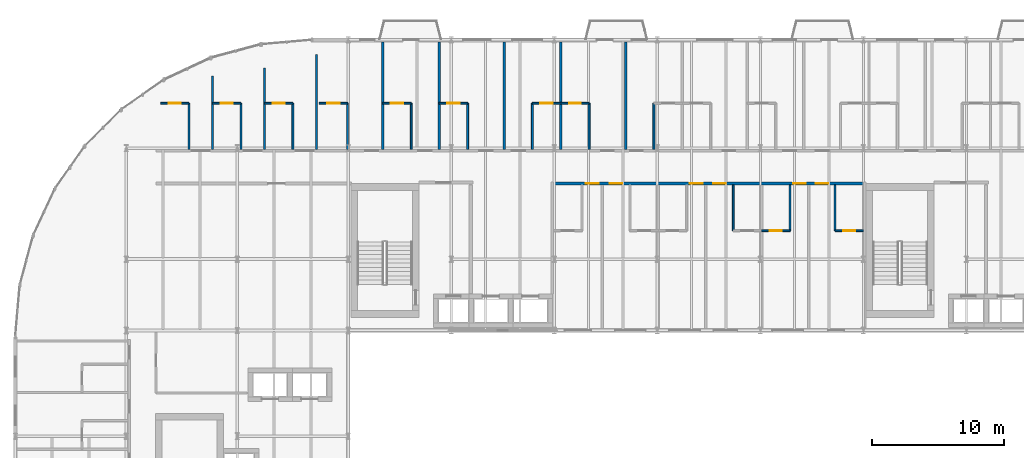
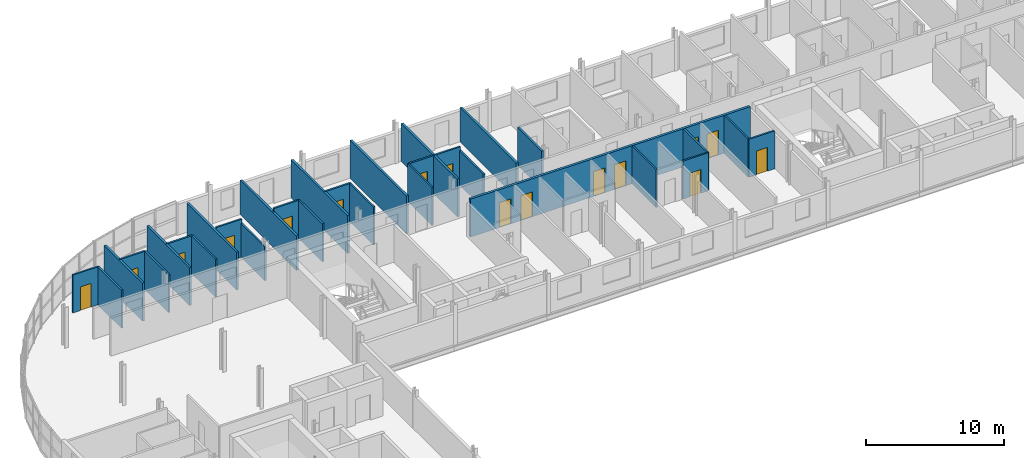
# One storey, part 22 of 34: 31 walls, 16 doors, 16 openings.
"""IFC4 building model written with IfcOpenShell, lengths in metres."""

import ifcopenshell
import ifcopenshell.guid

model = None  # the IFC model being written
_history = None  # IfcOwnerHistory: only IFC2X3 demands one
_inside = {}  # id of a spatial element -> (the spatial element, [elements in it])
_under = {}  # id of a project, library or spatial element -> (it, [spatial elements below it])
_declared = {}  # id of a project -> (the project, [libraries it declares])
_typed = {}  # id of a type object -> (the type object, [elements of that type])
_made_of = {}  # id of a material, layer set ... -> (it, [elements and type objects made of it])


def new_model(schema):
    """Start an empty IFC model of exactly this schema.

    Asked for "IFC4X3", IfcOpenShell would pick the latest addendum, in which some entities
    have other attributes; the version numbers below select the first issue.
    IFC2X3 requires an IfcOwnerHistory on every rooted entity: one is made here for all.
    """
    global model, _history
    if schema == "IFC4X3":
        model = ifcopenshell.file(schema_version=(4, 3, 0, 0))
    else:
        model = ifcopenshell.file(schema=schema)
    _inside.clear()
    _under.clear()
    _declared.clear()
    _typed.clear()
    _made_of.clear()
    _history = None
    if model.schema == "IFC2X3":
        org = make("IfcOrganization", Name="unknown")
        user = make(
            "IfcPersonAndOrganization",
            ThePerson=make("IfcPerson", FamilyName="unknown"),
            TheOrganization=org,
        )
        app = make(
            "IfcApplication",
            ApplicationDeveloper=org,
            Version="unknown",
            ApplicationFullName="unknown",
            ApplicationIdentifier="unknown",
        )
        _history = make(
            "IfcOwnerHistory",
            OwningUser=user,
            OwningApplication=app,
            ChangeAction="ADDED",
            CreationDate=0,
        )
    return model


def make(cls, **values):
    """One entity of the class cls with the attributes given. An attribute that is None is left unset."""
    return model.create_entity(
        cls, **{name: value for name, value in values.items() if value is not None}
    )


def rooted(cls, **values):
    """An entity with a GlobalId (a new one), such as an element, a storey or a relation."""
    return make(cls, GlobalId=ifcopenshell.guid.new(), OwnerHistory=_history, **values)


def si_unit(unit_type, name, prefix=None):
    """IfcSIUnit, for example si_unit("LENGTHUNIT", "METRE", prefix="MILLI")."""
    return make("IfcSIUnit", UnitType=unit_type, Prefix=prefix, Name=name)


def assignment(units):
    """IfcUnitAssignment: the units of a project."""
    return None if units is None else make("IfcUnitAssignment", Units=units)


def point(xyz):
    """IfcCartesianPoint."""
    return None if xyz is None else make("IfcCartesianPoint", Coordinates=xyz)


def direction(xyz):
    """IfcDirection."""
    return None if xyz is None else make("IfcDirection", DirectionRatios=xyz)


def frame(location, z_axis=None, x_axis=None):
    """IfcAxis2Placement3D, a coordinate frame: its origin and axes. An axis left out is left unset."""
    return make(
        "IfcAxis2Placement3D",
        Location=point(location),
        Axis=direction(z_axis),
        RefDirection=direction(x_axis),
    )


def frame_2d(location, x_axis=None):
    """IfcAxis2Placement2D, a coordinate frame in the plane: its origin and x axis."""
    return make(
        "IfcAxis2Placement2D", Location=point(location), RefDirection=direction(x_axis)
    )


def origin():
    """The frame at (0, 0, 0) with its axes left unset."""
    return frame((0.0, 0.0, 0.0))


def place(relative_to, where):
    """IfcLocalPlacement: puts the frame where relative to a parent placement (None: the world)."""
    return make(
        "IfcLocalPlacement", PlacementRelTo=relative_to, RelativePlacement=where
    )


def context(
    kind, dimensions, precision=None, world=None, true_north=None, identifier=None
):
    """IfcGeometricRepresentationContext, for example the 3D "Model" context."""
    return make(
        "IfcGeometricRepresentationContext",
        ContextIdentifier=identifier,
        ContextType=kind,
        CoordinateSpaceDimension=dimensions,
        Precision=precision,
        WorldCoordinateSystem=world,
        TrueNorth=true_north,
    )


def subcontext(parent, identifier, kind, view, scale=None):
    """IfcGeometricRepresentationSubContext, for example "Body" below "Model"."""
    return make(
        "IfcGeometricRepresentationSubContext",
        ContextIdentifier=identifier,
        ContextType=kind,
        ParentContext=parent,
        TargetScale=scale,
        TargetView=view,
    )


def project(units=None, contexts=None):
    """IfcProject with its units and contexts."""
    return rooted(
        "IfcProject",
        Name="project",
        RepresentationContexts=contexts,
        UnitsInContext=assignment(units),
    )


def spatial(cls, under=None, at=None, **own):
    """A site, building, storey or space (cls), placed at a placement, below another one or the project."""
    s = rooted(cls, ObjectPlacement=at, **own)
    if under is not None:
        _under.setdefault(under.id(), (under, []))[1].append(s)
    return s


def profile(cls, at=None, kind="AREA", **sizes):
    """A parametric profile (cls). Its sizes go by their IFC names, for example OverallWidth=200.0."""
    return make(cls, ProfileType=kind, Position=at, **sizes)


def rectangle(**sizes):
    """IfcRectangleProfileDef."""
    return profile("IfcRectangleProfileDef", **sizes)


def extrude(swept, where, along, depth):
    """IfcExtrudedAreaSolid: the profile swept, set in the frame where, extruded along a direction by depth."""
    return make(
        "IfcExtrudedAreaSolid",
        SweptArea=swept,
        Position=where,
        ExtrudedDirection=direction(along),
        Depth=depth,
    )


def shape(context_of_items, identifier, shape_type, items):
    """IfcShapeRepresentation: the items that make up one representation, for example the "Body"."""
    return make(
        "IfcShapeRepresentation",
        ContextOfItems=context_of_items,
        RepresentationIdentifier=identifier,
        RepresentationType=shape_type,
        Items=items,
    )


def material(Name=None, Category=None):
    """IfcMaterial."""
    return make("IfcMaterial", Name=Name, Category=Category)


def layer(
    of_material, thickness, ventilated=None, Name=None, Category=None, Priority=None
):
    """IfcMaterialLayer: one layer of a wall or slab, of a material (None: an air gap)."""
    return make(
        "IfcMaterialLayer",
        Material=of_material,
        LayerThickness=thickness,
        IsVentilated=ventilated,
        Name=Name,
        Category=Category,
        Priority=Priority,
    )


def layer_set(layers, Name=None):
    """IfcMaterialLayerSet."""
    return make("IfcMaterialLayerSet", MaterialLayers=layers, LayerSetName=Name)


def made_of(thing, what):
    """Note that an element or type object is made of a material, layer set ...; save() writes the relation."""
    if what is not None:
        _made_of.setdefault(what.id(), (what, []))[1].append(thing)
    return thing


def type_object(cls, material=None, **own):
    """A type object (cls), such as IfcWallType, which elements share."""
    return made_of(rooted(cls, **own), material)


def element(
    cls,
    number,
    at=None,
    inside=None,
    cuts=None,
    type_object=None,
    material=None,
    context=None,
    identifier="Body",
    shape_type=None,
    held_by="IfcProductDefinitionShape",
    body=None,
    shapes=None,
    **own,
):
    """One element of the class cls, such as IfcWall. Its Tag is "e" and its number.

    at: its placement. inside: the storey or other place that contains it. cuts: it is an
    opening in that element (IfcRelVoidsElement). A single representation is given by context,
    identifier, shape_type and body (its items); several are given by shapes. held_by: the class
    of the entity that holds the representations. save() writes the other relations.
    """
    e = rooted(cls, Tag="e%d" % number, ObjectPlacement=at, **own)
    if body is not None:
        shapes = [shape(context, identifier, shape_type, body)]
    if shapes is not None:
        e.Representation = make(held_by, Representations=shapes)
    if inside is not None:
        _inside.setdefault(inside.id(), (inside, []))[1].append(e)
    if cuts is not None:
        rooted(
            "IfcRelVoidsElement", RelatingBuildingElement=cuts, RelatedOpeningElement=e
        )
    if type_object is not None:
        _typed.setdefault(type_object.id(), (type_object, []))[1].append(e)
    return made_of(e, material)


def fill(opening, filler):
    """IfcRelFillsElement: the door or window that sits in an opening."""
    return rooted(
        "IfcRelFillsElement",
        RelatingOpeningElement=opening,
        RelatedBuildingElement=filler,
    )


def aggregate(whole, parts):
    """IfcRelAggregates: a whole, such as a stair, and the parts it consists of."""
    return rooted("IfcRelAggregates", RelatingObject=whole, RelatedObjects=parts)


def save(model, path):
    """Write the relations noted so far, then the file.

    IfcRelAggregates (storeys below a building ...), IfcRelContainedInSpatialStructure (elements
    in a storey), IfcRelDefinesByType, IfcRelAssociatesMaterial and IfcRelDeclares: one each for
    every whole, place, type object, material and project.
    """
    for whole, parts in _under.values():
        aggregate(whole, parts)
    for where, things in _inside.values():
        rooted(
            "IfcRelContainedInSpatialStructure",
            RelatedElements=things,
            RelatingStructure=where,
        )
    for kind, things in _typed.values():
        rooted("IfcRelDefinesByType", RelatedObjects=things, RelatingType=kind)
    for what, things in _made_of.values():
        rooted("IfcRelAssociatesMaterial", RelatedObjects=things, RelatingMaterial=what)
    for by, libraries in _declared.values():
        rooted("IfcRelDeclares", RelatingContext=by, RelatedDefinitions=libraries)
    model.write(path)


model = new_model("IFC4")

# Units and contexts
model_context = context("Model", 3, precision=1e-05, world=origin(), true_north=direction((0.0, 1.0)))
body_context = subcontext(model_context, "Body", "Model", "MODEL_VIEW")
ifc_project = project(units=[si_unit("LENGTHUNIT", "METRE"), si_unit("AREAUNIT", "SQUARE_METRE"), si_unit("VOLUMEUNIT", "CUBIC_METRE"), si_unit("PLANEANGLEUNIT", "RADIAN"), si_unit("MASSUNIT", "GRAM", prefix="KILO")], contexts=[model_context])

# Site, building, storey
site_placement = place(None, origin())
site = spatial("IfcSite", under=ifc_project, at=site_placement, CompositionType="ELEMENT")
building_placement = place(site_placement, origin())
building = spatial("IfcBuilding", under=site, at=building_placement, Name="Sefraquen Railside Congress Hotel", CompositionType="ELEMENT")
storey_placement = place(building_placement, frame((0.0, 0.0, 31.800048828125)))
storey = spatial("IfcBuildingStorey", under=building, at=storey_placement, Name="L07", CompositionType="ELEMENT", Elevation=31.800048828125)

# Wall
ifc_material_1 = material(Name="Moisture-resistant gypsum board", Category="gypsum")
ifc_layer_1 = layer(ifc_material_1, 0.139892578125)
ifc_layer_set_1 = layer_set([ifc_layer_1], Name="Moisture-resistant gypsum board")
wall_type_1 = type_object("IfcWallType", Name="TW-PW-140", PredefinedType="PARTITIONING", material=ifc_layer_set_1)
wall_1_placement = place(storey_placement, frame((25.14990234375, 109.699951171875, 0.0), z_axis=(0.0, 0.0, 1.0), x_axis=(0.0, 1.0, 0.0)))
element("IfcWall", 1, at=wall_1_placement, inside=storey, type_object=wall_type_1, Name="En-suite bathroom east wall RM-001", PredefinedType="PARTITIONING", context=body_context, shape_type="SweptSolid", body=[
    extrude(rectangle(XDim=3.5, YDim=0.139892578125, at=frame_2d((1.75, 0.0))), origin(), (0.0, 0.0, 1.0), 2.989990234375),
])

# Wall, opening, door
wall_2_placement = place(storey_placement, frame((23.0, 113.199951171875, 0.0), z_axis=(0.0, 0.0, 1.0), x_axis=(1.0, 0.0, 0.0)))
wall_2 = element("IfcWall", 2, at=wall_2_placement, inside=storey, type_object=wall_type_1, Name="En-suite bathroom north wall RM-001", PredefinedType="PARTITIONING", context=body_context, shape_type="SweptSolid", body=[
    extrude(rectangle(XDim=2.14990234375, YDim=0.139892578125, at=frame_2d((1.074951171875, 0.0))), origin(), (0.0, 0.0, 1.0), 3.35986328125),
])
opening_1_placement = place(wall_2_placement, frame((0.60498046875, 0.0, 0.0)))
opening_1 = element("IfcOpeningElement", 3, at=opening_1_placement, cuts=wall_2, Name="Opening ID-01", PredefinedType="OPENING", context=body_context, shape_type="SweptSolid", body=[
    extrude(rectangle(XDim=0.93994140625, YDim=2.14990234375, at=frame_2d((0.469970703125, 1.074951171875))), frame((0.0, 0.079833984375, 0.0), z_axis=(0.0, -1.0, 0.0), x_axis=(1.0, 0.0, 0.0)), (0.0, 0.0, 1.0), 0.159912109375),
])
ifc_material_2 = material(Name="Lacquered cedar joinery", Category="wood")
door_type_1 = type_object("IfcDoorType", Name="TD-ID-01", OperationType="NOTDEFINED", PredefinedType="DOOR", material=ifc_material_2)
door_1_placement = place(opening_1_placement, origin())
door_1 = element("IfcDoor", 4, at=door_1_placement, inside=storey, type_object=door_type_1, Name="En-suite bathroom door RM-001", OperationType="SINGLE_SWING_LEFT", OverallHeight=2.14990234375, OverallWidth=0.93994140625, PredefinedType="DOOR", context=body_context, shape_type="SweptSolid", body=[
    extrude(rectangle(XDim=0.93994140625, YDim=2.14990234375, at=frame_2d((0.469970703125, 1.074951171875))), frame((0.0, 0.02490234375, 0.0), z_axis=(0.0, -1.0, 0.0), x_axis=(1.0, 0.0, 0.0)), (0.0, 0.0, 1.0), 0.050048828125),
])
fill(opening_1, door_1)

# Wall
wall_3_placement = place(storey_placement, frame((29.969970703125, 109.699951171875, 0.0), z_axis=(0.0, 0.0, 1.0), x_axis=(0.0, 1.0, 0.0)))
element("IfcWall", 5, at=wall_3_placement, inside=storey, type_object=wall_type_1, Name="En-suite bathroom east wall RM-002", PredefinedType="PARTITIONING", context=body_context, shape_type="SweptSolid", body=[
    extrude(rectangle(XDim=3.5, YDim=0.139892578125, at=frame_2d((1.75, 0.0))), origin(), (0.0, 0.0, 1.0), 3.35986328125),
])

# Wall, opening, door
wall_4_placement = place(storey_placement, frame((27.820068359375, 113.199951171875, 0.0), z_axis=(0.0, 0.0, 1.0), x_axis=(1.0, 0.0, 0.0)))
wall_4 = element("IfcWall", 6, at=wall_4_placement, inside=storey, type_object=wall_type_1, Name="En-suite bathroom north wall RM-002", PredefinedType="PARTITIONING", context=body_context, shape_type="SweptSolid", body=[
    extrude(rectangle(XDim=2.14990234375, YDim=0.139892578125, at=frame_2d((1.074951171875, 0.0))), origin(), (0.0, 0.0, 1.0), 3.35986328125),
])
opening_2_placement = place(wall_4_placement, frame((0.60498046875, 0.0, 0.0)))
opening_2 = element("IfcOpeningElement", 7, at=opening_2_placement, cuts=wall_4, Name="Opening ID-01", PredefinedType="OPENING", context=body_context, shape_type="SweptSolid", body=[
    extrude(rectangle(XDim=0.93994140625, YDim=2.14990234375, at=frame_2d((0.469970703125, 1.074951171875))), frame((0.0, 0.079833984375, 0.0), z_axis=(0.0, -1.0, 0.0), x_axis=(1.0, 0.0, 0.0)), (0.0, 0.0, 1.0), 0.159912109375),
])
door_2_placement = place(opening_2_placement, origin())
door_2 = element("IfcDoor", 8, at=door_2_placement, inside=storey, type_object=door_type_1, Name="En-suite bathroom door RM-002", OperationType="SINGLE_SWING_LEFT", OverallHeight=2.14990234375, OverallWidth=0.93994140625, PredefinedType="DOOR", context=body_context, shape_type="SweptSolid", body=[
    extrude(rectangle(XDim=0.93994140625, YDim=2.14990234375, at=frame_2d((0.469970703125, 1.074951171875))), frame((0.0, 0.02490234375, 0.0), z_axis=(0.0, -1.0, 0.0), x_axis=(1.0, 0.0, 0.0)), (0.0, 0.0, 1.0), 0.050048828125),
])
fill(opening_2, door_2)

# Wall
wall_5_placement = place(storey_placement, frame((34.239990234375, 109.699951171875, 0.0), z_axis=(0.0, 0.0, 1.0), x_axis=(0.0, 1.0, 0.0)))
element("IfcWall", 9, at=wall_5_placement, inside=storey, type_object=wall_type_1, Name="En-suite bathroom east wall RM-003", PredefinedType="PARTITIONING", context=body_context, shape_type="SweptSolid", body=[
    extrude(rectangle(XDim=3.5, YDim=0.139892578125, at=frame_2d((1.75, 0.0))), origin(), (0.0, 0.0, 1.0), 3.35986328125),
])

# Wall, opening, door
wall_6_placement = place(storey_placement, frame((32.090087890625, 113.199951171875, 0.0), z_axis=(0.0, 0.0, 1.0), x_axis=(1.0, 0.0, 0.0)))
wall_6 = element("IfcWall", 10, at=wall_6_placement, inside=storey, type_object=wall_type_1, Name="En-suite bathroom north wall RM-003", PredefinedType="PARTITIONING", context=body_context, shape_type="SweptSolid", body=[
    extrude(rectangle(XDim=2.14990234375, YDim=0.139892578125, at=frame_2d((1.074951171875, 0.0))), origin(), (0.0, 0.0, 1.0), 3.35986328125),
])
opening_3_placement = place(wall_6_placement, frame((0.60498046875, 0.0, 0.0)))
opening_3 = element("IfcOpeningElement", 11, at=opening_3_placement, cuts=wall_6, Name="Opening ID-01", PredefinedType="OPENING", context=body_context, shape_type="SweptSolid", body=[
    extrude(rectangle(XDim=0.93994140625, YDim=2.14990234375, at=frame_2d((0.469970703125, 1.074951171875))), frame((0.0, 0.079833984375, 0.0), z_axis=(0.0, -1.0, 0.0), x_axis=(1.0, 0.0, 0.0)), (0.0, 0.0, 1.0), 0.159912109375),
])
door_3_placement = place(opening_3_placement, origin())
door_3 = element("IfcDoor", 12, at=door_3_placement, inside=storey, type_object=door_type_1, Name="En-suite bathroom door RM-003", OperationType="SINGLE_SWING_LEFT", OverallHeight=2.14990234375, OverallWidth=0.93994140625, PredefinedType="DOOR", context=body_context, shape_type="SweptSolid", body=[
    extrude(rectangle(XDim=0.93994140625, YDim=2.14990234375, at=frame_2d((0.469970703125, 1.074951171875))), frame((0.0, 0.02490234375, 0.0), z_axis=(0.0, -1.0, 0.0), x_axis=(1.0, 0.0, 0.0)), (0.0, 0.0, 1.0), 0.050048828125),
])
fill(opening_3, door_3)

# Wall
wall_7_placement = place(storey_placement, frame((39.139892578125, 109.699951171875, 0.0), z_axis=(0.0, 0.0, 1.0), x_axis=(0.0, 1.0, 0.0)))
element("IfcWall", 13, at=wall_7_placement, inside=storey, type_object=wall_type_1, Name="En-suite bathroom west wall RM-004", PredefinedType="PARTITIONING", context=body_context, shape_type="SweptSolid", body=[
    extrude(rectangle(XDim=3.5, YDim=0.139892578125, at=frame_2d((1.75, 0.0))), origin(), (0.0, 0.0, 1.0), 3.35986328125),
])

# Wall, opening, door
wall_8_placement = place(storey_placement, frame((39.139892578125, 113.199951171875, 0.0), z_axis=(0.0, 0.0, 1.0), x_axis=(1.0, 0.0, 0.0)))
wall_8 = element("IfcWall", 14, at=wall_8_placement, inside=storey, type_object=wall_type_1, Name="En-suite bathroom north wall RM-004", PredefinedType="PARTITIONING", context=body_context, shape_type="SweptSolid", body=[
    extrude(rectangle(XDim=2.150146484375, YDim=0.139892578125, at=frame_2d((1.0751953125, 0.0))), origin(), (0.0, 0.0, 1.0), 3.35986328125),
])
opening_4_placement = place(wall_8_placement, frame((0.60498046875, 0.0, 0.0)))
opening_4 = element("IfcOpeningElement", 15, at=opening_4_placement, cuts=wall_8, Name="Opening ID-01", PredefinedType="OPENING", context=body_context, shape_type="SweptSolid", body=[
    extrude(rectangle(XDim=0.93994140625, YDim=2.14990234375, at=frame_2d((0.469970703125, 1.074951171875))), frame((0.0, 0.079833984375, 0.0), z_axis=(0.0, -1.0, 0.0), x_axis=(1.0, 0.0, 0.0)), (0.0, 0.0, 1.0), 0.159912109375),
])
door_4_placement = place(opening_4_placement, origin())
door_4 = element("IfcDoor", 16, at=door_4_placement, inside=storey, type_object=door_type_1, Name="En-suite bathroom door RM-004", OperationType="SINGLE_SWING_LEFT", OverallHeight=2.14990234375, OverallWidth=0.93994140625, PredefinedType="DOOR", context=body_context, shape_type="SweptSolid", body=[
    extrude(rectangle(XDim=0.93994140625, YDim=2.14990234375, at=frame_2d((0.469970703125, 1.074951171875))), frame((0.0, 0.02490234375, 0.0), z_axis=(0.0, -1.0, 0.0), x_axis=(1.0, 0.0, 0.0)), (0.0, 0.0, 1.0), 0.050048828125),
])
fill(opening_4, door_4)

# Wall
wall_9_placement = place(storey_placement, frame((43.43994140625, 109.699951171875, 0.0), z_axis=(0.0, 0.0, 1.0), x_axis=(0.0, 1.0, 0.0)))
element("IfcWall", 17, at=wall_9_placement, inside=storey, type_object=wall_type_1, Name="En-suite bathroom east wall RM-005", PredefinedType="PARTITIONING", context=body_context, shape_type="SweptSolid", body=[
    extrude(rectangle(XDim=3.5, YDim=0.139892578125, at=frame_2d((1.75, 0.0))), origin(), (0.0, 0.0, 1.0), 3.050048828125),
])

# Wall, opening, door
wall_10_placement = place(storey_placement, frame((41.2900390625, 113.199951171875, 0.0), z_axis=(0.0, 0.0, 1.0), x_axis=(1.0, 0.0, 0.0)))
wall_10 = element("IfcWall", 18, at=wall_10_placement, inside=storey, type_object=wall_type_1, Name="En-suite bathroom north wall RM-005", PredefinedType="PARTITIONING", context=body_context, shape_type="SweptSolid", body=[
    extrude(rectangle(XDim=2.14990234375, YDim=0.139892578125, at=frame_2d((1.074951171875, 0.0))), origin(), (0.0, 0.0, 1.0), 3.35986328125),
])
opening_5_placement = place(wall_10_placement, frame((0.625, 0.0, 0.0)))
opening_5 = element("IfcOpeningElement", 19, at=opening_5_placement, cuts=wall_10, Name="Opening ID-02", PredefinedType="OPENING", context=body_context, shape_type="SweptSolid", body=[
    extrude(rectangle(XDim=0.89990234375, YDim=2.10009765625, at=frame_2d((0.449951171875, 1.050048828125))), frame((0.0, 0.079833984375, 0.0), z_axis=(0.0, -1.0, 0.0), x_axis=(1.0, 0.0, 0.0)), (0.0, 0.0, 1.0), 0.159912109375),
])
door_type_2 = type_object("IfcDoorType", Name="TD-ID-02", OperationType="NOTDEFINED", PredefinedType="DOOR", material=ifc_material_2)
door_5_placement = place(opening_5_placement, origin())
door_5 = element("IfcDoor", 20, at=door_5_placement, inside=storey, type_object=door_type_2, Name="En-suite bathroom door RM-005", OperationType="SINGLE_SWING_LEFT", OverallHeight=2.10009765625, OverallWidth=0.89990234375, PredefinedType="DOOR", context=body_context, shape_type="SweptSolid", body=[
    extrude(rectangle(XDim=0.89990234375, YDim=2.10009765625, at=frame_2d((0.449951171875, 1.050048828125))), frame((0.0, 0.02490234375, 0.0), z_axis=(0.0, -1.0, 0.0), x_axis=(1.0, 0.0, 0.0)), (0.0, 0.0, 1.0), 0.050048828125),
])
fill(opening_5, door_5)

# Walls
wall_11_placement = place(storey_placement, frame((48.340087890625, 109.699951171875, 0.0), z_axis=(0.0, 0.0, 1.0), x_axis=(0.0, 1.0, 0.0)))
element("IfcWall", 21, at=wall_11_placement, inside=storey, type_object=wall_type_1, Name="En-suite bathroom west wall RM-006", PredefinedType="PARTITIONING", context=body_context, shape_type="SweptSolid", body=[
    extrude(rectangle(XDim=3.5, YDim=0.139892578125, at=frame_2d((1.75, 0.0))), origin(), (0.0, 0.0, 1.0), 3.35986328125),
])
for number, where, z_axis, x_axis, name in (
    (22, (54.343017578125, 103.550048828125, 0.0), (0.0, 0.0, 1.0), (0.0, 1.0, 0.0), "En-suite bathroom west wall RM-025"),
    (23, (58.64306640625, 103.550048828125, 0.0), (0.0, 0.0, 1.0), (0.0, 1.0, 0.0), "En-suite bathroom east wall RM-026"),
):
    element("IfcWall", number, at=place(storey_placement, frame(where, z_axis=z_axis, x_axis=x_axis)), inside=storey, type_object=wall_type_1, Name=name, PredefinedType="PARTITIONING", context=body_context, shape_type="SweptSolid", body=[
        extrude(rectangle(XDim=3.469970703125, YDim=0.139892578125, at=frame_2d((1.73486328125, 0.0))), origin(), (0.0, 0.0, 1.0), 3.35986328125),
    ])

# Wall, opening, door
wall_12_placement = place(storey_placement, frame((56.492919921875, 103.550048828125, 0.0), z_axis=(0.0, 0.0, 1.0), x_axis=(1.0, 0.0, 0.0)))
wall_12 = element("IfcWall", 24, at=wall_12_placement, inside=storey, type_object=wall_type_1, Name="En-suite bathroom south wall RM-026", PredefinedType="PARTITIONING", context=body_context, shape_type="SweptSolid", body=[
    extrude(rectangle(XDim=2.150146484375, YDim=0.139892578125, at=frame_2d((1.0751953125, 0.0))), origin(), (0.0, 0.0, 1.0), 3.35986328125),
])
opening_6_placement = place(wall_12_placement, frame((0.625, 0.0, 0.0)))
opening_6 = element("IfcOpeningElement", 25, at=opening_6_placement, cuts=wall_12, Name="Opening ID-02", PredefinedType="OPENING", context=body_context, shape_type="SweptSolid", body=[
    extrude(rectangle(XDim=0.89990234375, YDim=2.10009765625, at=frame_2d((0.449951171875, 1.050048828125))), frame((0.0, 0.079833984375, 0.0), z_axis=(0.0, -1.0, 0.0), x_axis=(1.0, 0.0, 0.0)), (0.0, 0.0, 1.0), 0.159912109375),
])
door_6_placement = place(opening_6_placement, frame((0.89990234375, 0.0, 0.0), z_axis=(0.0, 0.0, 1.0), x_axis=(-1.0, 0.0, 0.0)))
door_6 = element("IfcDoor", 26, at=door_6_placement, inside=storey, type_object=door_type_2, Name="En-suite bathroom door RM-026", OperationType="SINGLE_SWING_LEFT", OverallHeight=2.10009765625, OverallWidth=0.89990234375, PredefinedType="DOOR", context=body_context, shape_type="SweptSolid", body=[
    extrude(rectangle(XDim=0.89990234375, YDim=2.10009765625, at=frame_2d((0.449951171875, 1.050048828125))), frame((0.0, 0.02490234375, 0.0), z_axis=(0.0, -1.0, 0.0), x_axis=(1.0, 0.0, 0.0)), (0.0, 0.0, 1.0), 0.050048828125),
])
fill(opening_6, door_6)

# Wall
wall_13_placement = place(storey_placement, frame((62.050048828125, 103.550048828125, 0.0), z_axis=(0.0, 0.0, 1.0), x_axis=(0.0, 1.0, 0.0)))
element("IfcWall", 27, at=wall_13_placement, inside=storey, type_object=wall_type_1, Name="En-suite bathroom west wall RM-027", PredefinedType="PARTITIONING", context=body_context, shape_type="SweptSolid", body=[
    extrude(rectangle(XDim=3.469970703125, YDim=0.139892578125, at=frame_2d((1.73486328125, 0.0))), origin(), (0.0, 0.0, 1.0), 3.35986328125),
])

# Wall, opening, door
wall_14_placement = place(storey_placement, frame((62.050048828125, 103.550048828125, 0.0), z_axis=(0.0, 0.0, 1.0), x_axis=(1.0, 0.0, 0.0)))
wall_14 = element("IfcWall", 28, at=wall_14_placement, inside=storey, type_object=wall_type_1, Name="En-suite bathroom south wall RM-027", PredefinedType="PARTITIONING", context=body_context, shape_type="SweptSolid", body=[
    extrude(rectangle(XDim=2.14990234375, YDim=0.139892578125, at=frame_2d((1.074951171875, 0.0))), origin(), (0.0, 0.0, 1.0), 3.35986328125),
])
opening_7_placement = place(wall_14_placement, frame((0.625, 0.0, 0.0)))
opening_7 = element("IfcOpeningElement", 29, at=opening_7_placement, cuts=wall_14, Name="Opening ID-02", PredefinedType="OPENING", context=body_context, shape_type="SweptSolid", body=[
    extrude(rectangle(XDim=0.89990234375, YDim=2.10009765625, at=frame_2d((0.449951171875, 1.050048828125))), frame((0.0, 0.079833984375, 0.0), z_axis=(0.0, -1.0, 0.0), x_axis=(1.0, 0.0, 0.0)), (0.0, 0.0, 1.0), 0.159912109375),
])
door_7_placement = place(opening_7_placement, frame((0.89990234375, 0.0, 0.0), z_axis=(0.0, 0.0, 1.0), x_axis=(-1.0, 0.0, 0.0)))
door_7 = element("IfcDoor", 30, at=door_7_placement, inside=storey, type_object=door_type_2, Name="En-suite bathroom door RM-027", OperationType="SINGLE_SWING_LEFT", OverallHeight=2.10009765625, OverallWidth=0.89990234375, PredefinedType="DOOR", context=body_context, shape_type="SweptSolid", body=[
    extrude(rectangle(XDim=0.89990234375, YDim=2.10009765625, at=frame_2d((0.449951171875, 1.050048828125))), frame((0.0, 0.02490234375, 0.0), z_axis=(0.0, -1.0, 0.0), x_axis=(1.0, 0.0, 0.0)), (0.0, 0.0, 1.0), 0.050048828125),
])
fill(opening_7, door_7)

# Wall
wall_15_placement = place(storey_placement, frame((13.14990234375, 109.699951171875, 0.0), z_axis=(0.0, 0.0, 1.0), x_axis=(0.0, 1.0, 0.0)))
element("IfcWall", 31, at=wall_15_placement, inside=storey, type_object=wall_type_1, Name="En-suite bathroom east wall RM-045", PredefinedType="PARTITIONING", context=body_context, shape_type="SweptSolid", body=[
    extrude(rectangle(XDim=3.5, YDim=0.139892578125, at=frame_2d((1.75, 0.0))), origin(), (0.0, 0.0, 1.0), 3.35986328125),
])

# Wall, opening, door
wall_16_placement = place(storey_placement, frame((11.0, 113.199951171875, 0.0), z_axis=(0.0, 0.0, 1.0), x_axis=(1.0, 0.0, 0.0)))
wall_16 = element("IfcWall", 32, at=wall_16_placement, inside=storey, type_object=wall_type_1, Name="En-suite bathroom north wall RM-045", PredefinedType="PARTITIONING", context=body_context, shape_type="SweptSolid", body=[
    extrude(rectangle(XDim=2.14990234375, YDim=0.139892578125, at=frame_2d((1.074951171875, 0.0))), origin(), (0.0, 0.0, 1.0), 3.35986328125),
])
opening_8_placement = place(wall_16_placement, frame((0.625, 0.0, 0.0)))
opening_8 = element("IfcOpeningElement", 33, at=opening_8_placement, cuts=wall_16, Name="Opening ID-02", PredefinedType="OPENING", context=body_context, shape_type="SweptSolid", body=[
    extrude(rectangle(XDim=0.89990234375, YDim=2.10009765625, at=frame_2d((0.449951171875, 1.050048828125))), frame((0.0, 0.079833984375, 0.0), z_axis=(0.0, -1.0, 0.0), x_axis=(1.0, 0.0, 0.0)), (0.0, 0.0, 1.0), 0.159912109375),
])
door_8_placement = place(opening_8_placement, origin())
door_8 = element("IfcDoor", 34, at=door_8_placement, inside=storey, type_object=door_type_2, Name="En-suite bathroom door RM-045", OperationType="SINGLE_SWING_RIGHT", OverallHeight=2.10009765625, OverallWidth=0.89990234375, PredefinedType="DOOR", context=body_context, shape_type="SweptSolid", body=[
    extrude(rectangle(XDim=0.89990234375, YDim=2.10009765625, at=frame_2d((0.449951171875, 1.050048828125))), frame((0.0, 0.02490234375, 0.0), z_axis=(0.0, -1.0, 0.0), x_axis=(1.0, 0.0, 0.0)), (0.0, 0.0, 1.0), 0.050048828125),
])
fill(opening_8, door_8)

# Wall
wall_17_placement = place(storey_placement, frame((17.0830078125, 109.699951171875, 0.0), z_axis=(0.0, 0.0, 1.0), x_axis=(0.0, 1.0, 0.0)))
element("IfcWall", 35, at=wall_17_placement, inside=storey, type_object=wall_type_1, Name="En-suite bathroom east wall RM-046", PredefinedType="PARTITIONING", context=body_context, shape_type="SweptSolid", body=[
    extrude(rectangle(XDim=3.5, YDim=0.139892578125, at=frame_2d((1.75, 0.0))), origin(), (0.0, 0.0, 1.0), 3.35986328125),
])

# Wall, opening, door
wall_18_placement = place(storey_placement, frame((14.93310546875, 113.199951171875, 0.0), z_axis=(0.0, 0.0, 1.0), x_axis=(1.0, 0.0, 0.0)))
wall_18 = element("IfcWall", 36, at=wall_18_placement, inside=storey, type_object=wall_type_1, Name="En-suite bathroom north wall RM-046", PredefinedType="PARTITIONING", context=body_context, shape_type="SweptSolid", body=[
    extrude(rectangle(XDim=2.14990234375, YDim=0.139892578125, at=frame_2d((1.074951171875, 0.0))), origin(), (0.0, 0.0, 1.0), 3.35986328125),
])
opening_9_placement = place(wall_18_placement, frame((0.625, 0.0, 0.0)))
opening_9 = element("IfcOpeningElement", 37, at=opening_9_placement, cuts=wall_18, Name="Opening ID-02", PredefinedType="OPENING", context=body_context, shape_type="SweptSolid", body=[
    extrude(rectangle(XDim=0.89990234375, YDim=2.10009765625, at=frame_2d((0.449951171875, 1.050048828125))), frame((0.0, 0.079833984375, 0.0), z_axis=(0.0, -1.0, 0.0), x_axis=(1.0, 0.0, 0.0)), (0.0, 0.0, 1.0), 0.159912109375),
])
door_9_placement = place(opening_9_placement, origin())
door_9 = element("IfcDoor", 38, at=door_9_placement, inside=storey, type_object=door_type_2, Name="En-suite bathroom door RM-046", OperationType="SINGLE_SWING_LEFT", OverallHeight=2.10009765625, OverallWidth=0.89990234375, PredefinedType="DOOR", context=body_context, shape_type="SweptSolid", body=[
    extrude(rectangle(XDim=0.89990234375, YDim=2.10009765625, at=frame_2d((0.449951171875, 1.050048828125))), frame((0.0, 0.02490234375, 0.0), z_axis=(0.0, -1.0, 0.0), x_axis=(1.0, 0.0, 0.0)), (0.0, 0.0, 1.0), 0.050048828125),
])
fill(opening_9, door_9)

# Wall
wall_19_placement = place(storey_placement, frame((21.01708984375, 109.699951171875, 0.0), z_axis=(0.0, 0.0, 1.0), x_axis=(0.0, 1.0, 0.0)))
element("IfcWall", 39, at=wall_19_placement, inside=storey, type_object=wall_type_1, Name="En-suite bathroom east wall RM-047", PredefinedType="PARTITIONING", context=body_context, shape_type="SweptSolid", body=[
    extrude(rectangle(XDim=3.5, YDim=0.139892578125, at=frame_2d((1.75, 0.0))), origin(), (0.0, 0.0, 1.0), 3.35986328125),
])

# Wall, opening, door
wall_20_placement = place(storey_placement, frame((18.866943359375, 113.199951171875, 0.0), z_axis=(0.0, 0.0, 1.0), x_axis=(1.0, 0.0, 0.0)))
wall_20 = element("IfcWall", 40, at=wall_20_placement, inside=storey, type_object=wall_type_1, Name="En-suite bathroom north wall RM-047", PredefinedType="PARTITIONING", context=body_context, shape_type="SweptSolid", body=[
    extrude(rectangle(XDim=2.150146484375, YDim=0.139892578125, at=frame_2d((1.0751953125, 0.0))), origin(), (0.0, 0.0, 1.0), 3.35986328125),
])
opening_10_placement = place(wall_20_placement, frame((0.625, 0.0, 0.0)))
opening_10 = element("IfcOpeningElement", 41, at=opening_10_placement, cuts=wall_20, Name="Opening ID-02", PredefinedType="OPENING", context=body_context, shape_type="SweptSolid", body=[
    extrude(rectangle(XDim=0.89990234375, YDim=2.10009765625, at=frame_2d((0.449951171875, 1.050048828125))), frame((0.0, 0.079833984375, 0.0), z_axis=(0.0, -1.0, 0.0), x_axis=(1.0, 0.0, 0.0)), (0.0, 0.0, 1.0), 0.159912109375),
])
door_10_placement = place(opening_10_placement, origin())
door_10 = element("IfcDoor", 42, at=door_10_placement, inside=storey, type_object=door_type_2, Name="En-suite bathroom door RM-047", OperationType="SINGLE_SWING_RIGHT", OverallHeight=2.10009765625, OverallWidth=0.89990234375, PredefinedType="DOOR", context=body_context, shape_type="SweptSolid", body=[
    extrude(rectangle(XDim=0.89990234375, YDim=2.10009765625, at=frame_2d((0.449951171875, 1.050048828125))), frame((0.0, 0.02490234375, 0.0), z_axis=(0.0, -1.0, 0.0), x_axis=(1.0, 0.0, 0.0)), (0.0, 0.0, 1.0), 0.050048828125),
])
fill(opening_10, door_10)

# Walls
ifc_material_3 = material(Name="Acoustic gypsum board on metal stud", Category="gypsum")
ifc_layer_2 = layer(ifc_material_3, 0.179931640625)
ifc_layer_set_2 = layer_set([ifc_layer_2], Name="Acoustic gypsum board on metal stud")
wall_type_2 = type_object("IfcWallType", Name="TW-PW-180", PredefinedType="PARTITIONING", material=ifc_layer_set_2)
wall_21_placement = place(storey_placement, frame((27.820068359375, 109.699951171875, 0.0), z_axis=(0.0, 0.0, 1.0), x_axis=(0.0, 1.0, 0.0)))
element("IfcWall", 43, at=wall_21_placement, inside=storey, type_object=wall_type_2, Name="Guest room demising wall RM-001", PredefinedType="PARTITIONING", context=body_context, shape_type="SweptSolid", body=[
    extrude(rectangle(XDim=8.150146484375, YDim=0.179931640625, at=frame_2d((4.0751953125, 0.0))), origin(), (0.0, 0.0, 1.0), 3.050048828125),
])
for number, where, z_axis, x_axis, name in (
    (44, (32.090087890625, 109.699951171875, 0.0), (0.0, 0.0, 1.0), (0.0, 1.0, 0.0), "Guest room demising wall RM-002"),
    (45, (37.02001953125, 109.699951171875, 0.0), (0.0, 0.0, 1.0), (0.0, 1.0, 0.0), "Guest room demising wall RM-003"),
    (46, (41.2900390625, 109.699951171875, 0.0), (0.0, 0.0, 1.0), (0.0, 1.0, 0.0), "Guest room demising wall RM-004"),
):
    element("IfcWall", number, at=place(storey_placement, frame(where, z_axis=z_axis, x_axis=x_axis)), inside=storey, type_object=wall_type_2, Name=name, PredefinedType="PARTITIONING", context=body_context, shape_type="SweptSolid", body=[
        extrude(rectangle(XDim=8.150146484375, YDim=0.179931640625, at=frame_2d((4.0751953125, 0.0))), origin(), (0.0, 0.0, 1.0), 3.35986328125),
    ])
wall_22_placement = place(storey_placement, frame((46.219970703125, 109.699951171875, 0.0), z_axis=(0.0, 0.0, 1.0), x_axis=(0.0, 1.0, 0.0)))
element("IfcWall", 47, at=wall_22_placement, inside=storey, type_object=wall_type_2, Name="Guest room demising wall RM-005", PredefinedType="PARTITIONING", context=body_context, shape_type="SweptSolid", body=[
    extrude(rectangle(XDim=8.150146484375, YDim=0.179931640625, at=frame_2d((4.0751953125, 0.0))), origin(), (0.0, 0.0, 1.0), 3.050048828125),
])
wall_23_placement = place(storey_placement, frame((14.93310546875, 109.699951171875, 0.0), z_axis=(0.0, 0.0, 1.0), x_axis=(0.0, 1.0, 0.0)))
element("IfcWall", 48, at=wall_23_placement, inside=storey, type_object=wall_type_2, Name="Guest room demising wall RM-045", PredefinedType="PARTITIONING", context=body_context, shape_type="SweptSolid", body=[
    extrude(rectangle(XDim=5.550048828125, YDim=0.179931640625, at=frame_2d((2.77490234375, 0.0))), origin(), (0.0, 0.0, 1.0), 3.35986328125),
])
wall_24_placement = place(storey_placement, frame((18.866943359375, 109.699951171875, 0.0), z_axis=(0.0, 0.0, 1.0), x_axis=(0.0, 1.0, 0.0)))
element("IfcWall", 49, at=wall_24_placement, inside=storey, type_object=wall_type_2, Name="Guest room demising wall RM-046", PredefinedType="PARTITIONING", context=body_context, shape_type="SweptSolid", body=[
    extrude(rectangle(XDim=6.150146484375, YDim=0.179931640625, at=frame_2d((3.0751953125, 0.0))), origin(), (0.0, 0.0, 1.0), 3.35986328125),
])
wall_25_placement = place(storey_placement, frame((22.800048828125, 109.699951171875, 0.0), z_axis=(0.0, 0.0, 1.0), x_axis=(0.0, 1.0, 0.0)))
element("IfcWall", 50, at=wall_25_placement, inside=storey, type_object=wall_type_2, Name="Guest room demising wall RM-047", PredefinedType="PARTITIONING", context=body_context, shape_type="SweptSolid", body=[
    extrude(rectangle(XDim=7.199951171875, YDim=0.179931640625, at=frame_2d((3.60009765625, 0.0))), origin(), (0.0, 0.0, 1.0), 3.35986328125),
])

# Wall, openings, doors
ifc_layer_3 = layer(ifc_material_3, 0.199951171875)
ifc_layer_set_3 = layer_set([ifc_layer_3], Name="Acoustic gypsum board on metal stud")
wall_type_3 = type_object("IfcWallType", Name="TW-PW-200", PredefinedType="PARTITIONING", material=ifc_layer_set_3)
wall_26_placement = place(storey_placement, frame((40.760009765625, 107.1201171875, 0.0), z_axis=(0.0, 0.0, 1.0), x_axis=(1.0, 0.0, 0.0)))
wall_26 = element("IfcWall", 51, at=wall_26_placement, inside=storey, type_object=wall_type_3, Name="Hotel L07 south-mid corridor fire-rated partition", PredefinedType="PARTITIONING", context=body_context, shape_type="SweptSolid", body=[
    extrude(rectangle(XDim=23.43994140625, YDim=0.199951171875, at=frame_2d((11.719970703125, 0.0))), origin(), (0.0, 0.0, 1.0), 3.35986328125),
])
opening_11_placement = place(wall_26_placement, frame((2.428955078125, 0.0, 0.0)))
opening_11 = element("IfcOpeningElement", 52, at=opening_11_placement, cuts=wall_26, Name="Opening GD-02", PredefinedType="OPENING", context=body_context, shape_type="SweptSolid", body=[
    extrude(rectangle(XDim=0.9599609375, YDim=2.199951171875, at=frame_2d((0.47998046875, 1.10009765625))), frame((0.0, 0.10986328125, 0.0), z_axis=(0.0, -1.0, 0.0), x_axis=(1.0, 0.0, 0.0)), (0.0, 0.0, 1.0), 0.219970703125),
])
opening_12_placement = place(wall_26_placement, frame((4.242919921875, 0.0, 0.0)))
opening_12 = element("IfcOpeningElement", 53, at=opening_12_placement, cuts=wall_26, Name="Opening GD-02", PredefinedType="OPENING", context=body_context, shape_type="SweptSolid", body=[
    extrude(rectangle(XDim=0.9599609375, YDim=2.199951171875, at=frame_2d((0.47998046875, 1.10009765625))), frame((0.0, 0.10986328125, 0.0), z_axis=(0.0, -1.0, 0.0), x_axis=(1.0, 0.0, 0.0)), (0.0, 0.0, 1.0), 0.219970703125),
])
opening_13_placement = place(wall_26_placement, frame((10.301025390625, 0.0, 0.0)))
opening_13 = element("IfcOpeningElement", 54, at=opening_13_placement, cuts=wall_26, Name="Opening GD-02", PredefinedType="OPENING", context=body_context, shape_type="SweptSolid", body=[
    extrude(rectangle(XDim=0.9599609375, YDim=2.199951171875, at=frame_2d((0.47998046875, 1.10009765625))), frame((0.0, 0.10986328125, 0.0), z_axis=(0.0, -1.0, 0.0), x_axis=(1.0, 0.0, 0.0)), (0.0, 0.0, 1.0), 0.219970703125),
])
opening_14_placement = place(wall_26_placement, frame((12.05908203125, 0.0, 0.0)))
opening_14 = element("IfcOpeningElement", 55, at=opening_14_placement, cuts=wall_26, Name="Opening GD-02", PredefinedType="OPENING", context=body_context, shape_type="SweptSolid", body=[
    extrude(rectangle(XDim=0.9599609375, YDim=2.199951171875, at=frame_2d((0.47998046875, 1.10009765625))), frame((0.0, 0.10986328125, 0.0), z_axis=(0.0, -1.0, 0.0), x_axis=(1.0, 0.0, 0.0)), (0.0, 0.0, 1.0), 0.219970703125),
])
opening_15_placement = place(wall_26_placement, frame((18.117919921875, 0.0, 0.0)))
opening_15 = element("IfcOpeningElement", 56, at=opening_15_placement, cuts=wall_26, Name="Opening GD-02", PredefinedType="OPENING", context=body_context, shape_type="SweptSolid", body=[
    extrude(rectangle(XDim=0.9599609375, YDim=2.199951171875, at=frame_2d((0.47998046875, 1.10009765625))), frame((0.0, 0.10986328125, 0.0), z_axis=(0.0, -1.0, 0.0), x_axis=(1.0, 0.0, 0.0)), (0.0, 0.0, 1.0), 0.219970703125),
])
opening_16_placement = place(wall_26_placement, frame((19.821044921875, 0.0, 0.0)))
opening_16 = element("IfcOpeningElement", 57, at=opening_16_placement, cuts=wall_26, Name="Opening GD-02", PredefinedType="OPENING", context=body_context, shape_type="SweptSolid", body=[
    extrude(rectangle(XDim=0.9599609375, YDim=2.199951171875, at=frame_2d((0.47998046875, 1.10009765625))), frame((0.0, 0.10986328125, 0.0), z_axis=(0.0, -1.0, 0.0), x_axis=(1.0, 0.0, 0.0)), (0.0, 0.0, 1.0), 0.219970703125),
])
ifc_material_4 = material(Name="Solid Atlas cedar timber fire leaf", Category="wood")
door_type_3 = type_object("IfcDoorType", Name="TD-GD-02", OperationType="NOTDEFINED", PredefinedType="DOOR", material=ifc_material_4)
door_11_placement = place(opening_11_placement, frame((0.9599609375, 0.0, 0.0), z_axis=(0.0, 0.0, 1.0), x_axis=(-1.0, 0.0, 0.0)))
door_11 = element("IfcDoor", 58, at=door_11_placement, inside=storey, type_object=door_type_3, Name="Guest room entrance fire door RM-022", OperationType="SINGLE_SWING_RIGHT", OverallHeight=2.199951171875, OverallWidth=0.9599609375, PredefinedType="DOOR", context=body_context, shape_type="SweptSolid", body=[
    extrude(rectangle(XDim=0.9599609375, YDim=2.199951171875, at=frame_2d((0.47998046875, 1.10009765625))), frame((0.0, 0.02490234375, 0.0), z_axis=(0.0, -1.0, 0.0), x_axis=(1.0, 0.0, 0.0)), (0.0, 0.0, 1.0), 0.050048828125),
])
fill(opening_11, door_11)
door_12_placement = place(opening_12_placement, frame((0.9599609375, 0.0, 0.0), z_axis=(0.0, 0.0, 1.0), x_axis=(-1.0, 0.0, 0.0)))
door_12 = element("IfcDoor", 59, at=door_12_placement, inside=storey, type_object=door_type_3, Name="Guest room entrance fire door RM-023", OperationType="SINGLE_SWING_RIGHT", OverallHeight=2.199951171875, OverallWidth=0.9599609375, PredefinedType="DOOR", context=body_context, shape_type="SweptSolid", body=[
    extrude(rectangle(XDim=0.9599609375, YDim=2.199951171875, at=frame_2d((0.47998046875, 1.10009765625))), frame((0.0, 0.02490234375, 0.0), z_axis=(0.0, -1.0, 0.0), x_axis=(1.0, 0.0, 0.0)), (0.0, 0.0, 1.0), 0.050048828125),
])
fill(opening_12, door_12)
door_13_placement = place(opening_13_placement, frame((0.9599609375, 0.0, 0.0), z_axis=(0.0, 0.0, 1.0), x_axis=(-1.0, 0.0, 0.0)))
door_13 = element("IfcDoor", 60, at=door_13_placement, inside=storey, type_object=door_type_3, Name="Guest room entrance fire door RM-024", OperationType="SINGLE_SWING_RIGHT", OverallHeight=2.199951171875, OverallWidth=0.9599609375, PredefinedType="DOOR", context=body_context, shape_type="SweptSolid", body=[
    extrude(rectangle(XDim=0.9599609375, YDim=2.199951171875, at=frame_2d((0.47998046875, 1.10009765625))), frame((0.0, 0.02490234375, 0.0), z_axis=(0.0, -1.0, 0.0), x_axis=(1.0, 0.0, 0.0)), (0.0, 0.0, 1.0), 0.050048828125),
])
fill(opening_13, door_13)
door_14_placement = place(opening_14_placement, frame((0.9599609375, 0.0, 0.0), z_axis=(0.0, 0.0, 1.0), x_axis=(-1.0, 0.0, 0.0)))
door_14 = element("IfcDoor", 61, at=door_14_placement, inside=storey, type_object=door_type_3, Name="Guest room entrance fire door RM-025", OperationType="SINGLE_SWING_RIGHT", OverallHeight=2.199951171875, OverallWidth=0.9599609375, PredefinedType="DOOR", context=body_context, shape_type="SweptSolid", body=[
    extrude(rectangle(XDim=0.9599609375, YDim=2.199951171875, at=frame_2d((0.47998046875, 1.10009765625))), frame((0.0, 0.02490234375, 0.0), z_axis=(0.0, -1.0, 0.0), x_axis=(1.0, 0.0, 0.0)), (0.0, 0.0, 1.0), 0.050048828125),
])
fill(opening_14, door_14)
door_15_placement = place(opening_15_placement, frame((0.9599609375, 0.0, 0.0), z_axis=(0.0, 0.0, 1.0), x_axis=(-1.0, 0.0, 0.0)))
door_15 = element("IfcDoor", 62, at=door_15_placement, inside=storey, type_object=door_type_3, Name="Guest room entrance fire door RM-026", OperationType="SINGLE_SWING_RIGHT", OverallHeight=2.199951171875, OverallWidth=0.9599609375, PredefinedType="DOOR", context=body_context, shape_type="SweptSolid", body=[
    extrude(rectangle(XDim=0.9599609375, YDim=2.199951171875, at=frame_2d((0.47998046875, 1.10009765625))), frame((0.0, 0.02490234375, 0.0), z_axis=(0.0, -1.0, 0.0), x_axis=(1.0, 0.0, 0.0)), (0.0, 0.0, 1.0), 0.050048828125),
])
fill(opening_15, door_15)
door_16_placement = place(opening_16_placement, frame((0.9599609375, 0.0, 0.0), z_axis=(0.0, 0.0, 1.0), x_axis=(-1.0, 0.0, 0.0)))
door_16 = element("IfcDoor", 63, at=door_16_placement, inside=storey, type_object=door_type_3, Name="Guest room entrance fire door RM-027", OperationType="SINGLE_SWING_RIGHT", OverallHeight=2.199951171875, OverallWidth=0.9599609375, PredefinedType="DOOR", context=body_context, shape_type="SweptSolid", body=[
    extrude(rectangle(XDim=0.9599609375, YDim=2.199951171875, at=frame_2d((0.47998046875, 1.10009765625))), frame((0.0, 0.02490234375, 0.0), z_axis=(0.0, -1.0, 0.0), x_axis=(1.0, 0.0, 0.0)), (0.0, 0.0, 1.0), 0.050048828125),
])
fill(opening_16, door_16)

save(model, "model.ifc")
